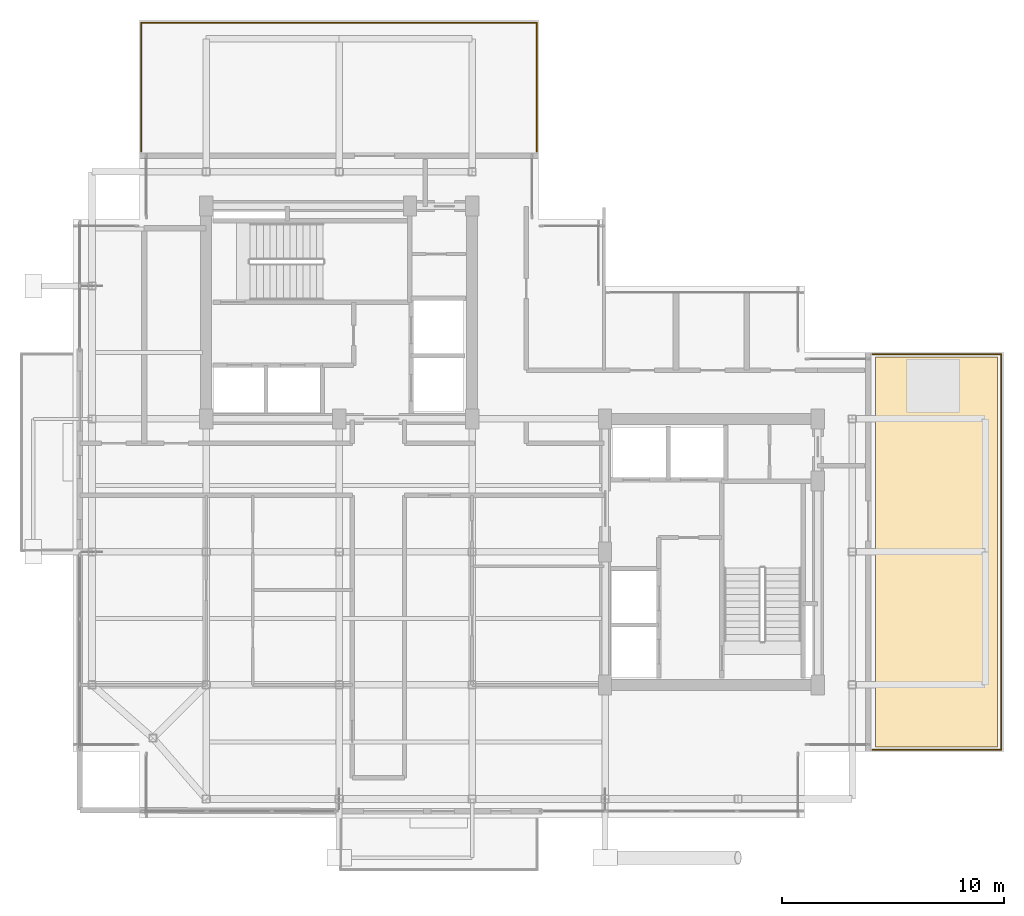
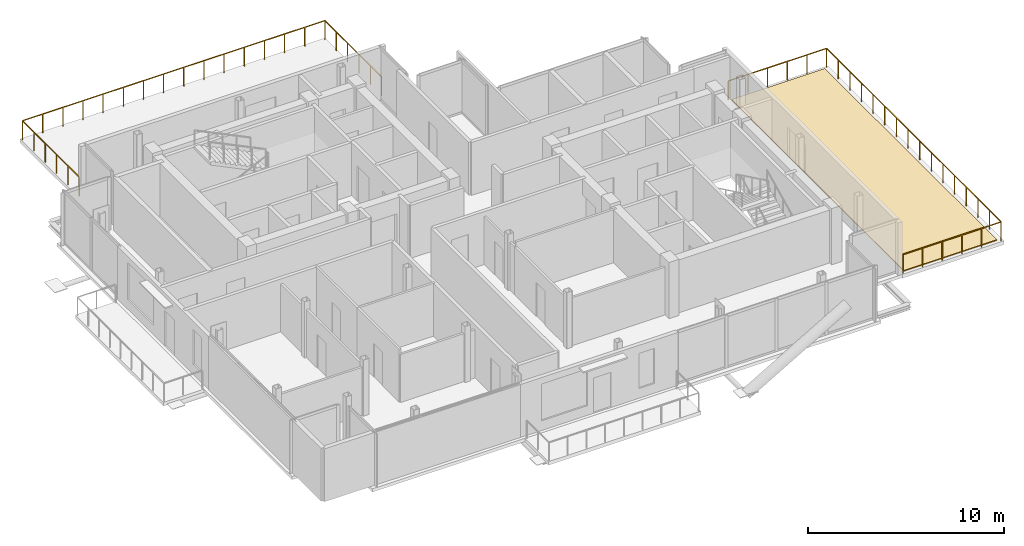
# One storey, part 19 of 19: 2 railings, 1 covering.
"""IFC4 building model written with IfcOpenShell, lengths in metres."""

from ifc_helpers import new_model, si_unit, direction, frame, origin, origin_2d, place, context, subcontext, project, spatial, polyline, rectangle, outline, extrude, material, layer, layer_set, type_object, element, save


model = new_model("IFC4")

# Units and contexts
model_context = context("Model", 3, precision=1e-05, world=origin(), true_north=direction((0.0, 1.0)))
body_context = subcontext(model_context, "Body", "Model", "MODEL_VIEW")
ifc_project = project(units=[si_unit("LENGTHUNIT", "METRE"), si_unit("AREAUNIT", "SQUARE_METRE"), si_unit("VOLUMEUNIT", "CUBIC_METRE"), si_unit("PLANEANGLEUNIT", "RADIAN"), si_unit("MASSUNIT", "GRAM", prefix="KILO"), si_unit("THERMODYNAMICTEMPERATUREUNIT", "KELVIN"), si_unit("POWERUNIT", "WATT")], contexts=[model_context])

# Site, building, storey
site_placement = place(None, origin())
site = spatial("IfcSite", under=ifc_project, at=site_placement, CompositionType="ELEMENT")
building_placement = place(site_placement, origin())
building = spatial("IfcBuilding", under=site, at=building_placement, Name="Svarakhadi Broadcast Tower", CompositionType="ELEMENT")
storey_placement = place(building_placement, frame((0.0, 0.0, 239.699951171875)))
storey = spatial("IfcBuildingStorey", under=building, at=storey_placement, Name="L59", CompositionType="ELEMENT", Elevation=239.699951171875)

# Railings
ifc_material_1 = material(Name="Anodised Bronze Aluminium AA 6063-T6", Category="aluminium")
railing_type = type_object("IfcRailingType", Name="Guard_Terrace_GR02", PredefinedType="BALUSTRADE", material=ifc_material_1)
railing_1_placement = place(storey_placement, frame((36.080078125, 3.080078125, 0.0)))
element("IfcRailing", 1, at=railing_1_placement, inside=storey, type_object=railing_type, Name="L59 East Setback Sky Garden Guard GR-02", PredefinedType="BALUSTRADE", context=body_context, shape_type="SweptSolid", body=[
    extrude(rectangle(XDim=0.048095703125, YDim=0.048095703125, at=origin_2d()), frame((0.0, 0.0, 1.17578125), z_axis=(1.0, 0.0, 0.0), x_axis=(0.0, 1.0, 0.0)), (0.0, 0.0, 1.0), 5.7998046875),
    extrude(rectangle(XDim=0.048095703125, YDim=0.048095703125, at=origin_2d()), frame((5.7998046875, 0.0, 1.17578125), z_axis=(0.0, 1.0, 0.0), x_axis=(-1.0, 0.0, 0.0)), (0.0, 0.0, 1.0), 17.83984375),
    extrude(rectangle(XDim=0.048095703125, YDim=0.048095703125, at=origin_2d()), frame((5.7998046875, 17.83984375, 1.17578125), z_axis=(-1.0, 0.0, 0.0), x_axis=(0.0, -1.0, 0.0)), (0.0, 0.0, 1.0), 5.7998046875),
    extrude(rectangle(XDim=0.0419921875, YDim=0.0419921875, at=origin_2d()), origin(), (0.0, 0.0, 1.0), 1.15185546875),
    extrude(rectangle(XDim=0.0419921875, YDim=0.0419921875, at=origin_2d()), frame((1.159912109375, 0.0, 0.0)), (0.0, 0.0, 1.0), 1.15185546875),
    extrude(rectangle(XDim=0.0419921875, YDim=0.0419921875, at=origin_2d()), frame((2.31982421875, 0.0, 0.0)), (0.0, 0.0, 1.0), 1.15185546875),
    extrude(rectangle(XDim=0.0419921875, YDim=0.0419921875, at=origin_2d()), frame((3.47998046875, 0.0, 0.0)), (0.0, 0.0, 1.0), 1.15185546875),
    extrude(rectangle(XDim=0.0419921875, YDim=0.0419921875, at=origin_2d()), frame((4.639892578125, 0.0, 0.0)), (0.0, 0.0, 1.0), 1.15185546875),
    extrude(rectangle(XDim=0.0419921875, YDim=0.0419921875, at=origin_2d()), frame((5.7998046875, 0.0, 0.0)), (0.0, 0.0, 1.0), 1.15185546875),
    extrude(rectangle(XDim=0.0419921875, YDim=0.0419921875, at=origin_2d()), frame((5.7998046875, 1.189208984375, 0.0)), (0.0, 0.0, 1.0), 1.15185546875),
    extrude(rectangle(XDim=0.0419921875, YDim=0.0419921875, at=origin_2d()), frame((5.7998046875, 2.378662109375, 0.0)), (0.0, 0.0, 1.0), 1.15185546875),
    extrude(rectangle(XDim=0.0419921875, YDim=0.0419921875, at=origin_2d()), frame((5.7998046875, 3.56787109375, 0.0)), (0.0, 0.0, 1.0), 1.15185546875),
    extrude(rectangle(XDim=0.0419921875, YDim=0.0419921875, at=origin_2d()), frame((5.7998046875, 4.75732421875, 0.0)), (0.0, 0.0, 1.0), 1.15185546875),
    extrude(rectangle(XDim=0.0419921875, YDim=0.0419921875, at=origin_2d()), frame((5.7998046875, 5.946533203125, 0.0)), (0.0, 0.0, 1.0), 1.15185546875),
    extrude(rectangle(XDim=0.0419921875, YDim=0.0419921875, at=origin_2d()), frame((5.7998046875, 7.135986328125, 0.0)), (0.0, 0.0, 1.0), 1.15185546875),
    extrude(rectangle(XDim=0.0419921875, YDim=0.0419921875, at=origin_2d()), frame((5.7998046875, 8.3251953125, 0.0)), (0.0, 0.0, 1.0), 1.15185546875),
    extrude(rectangle(XDim=0.0419921875, YDim=0.0419921875, at=origin_2d()), frame((5.7998046875, 9.5146484375, 0.0)), (0.0, 0.0, 1.0), 1.15185546875),
    extrude(rectangle(XDim=0.0419921875, YDim=0.0419921875, at=origin_2d()), frame((5.7998046875, 10.703857421875, 0.0)), (0.0, 0.0, 1.0), 1.15185546875),
    extrude(rectangle(XDim=0.0419921875, YDim=0.0419921875, at=origin_2d()), frame((5.7998046875, 11.893310546875, 0.0)), (0.0, 0.0, 1.0), 1.15185546875),
    extrude(rectangle(XDim=0.0419921875, YDim=0.0419921875, at=origin_2d()), frame((5.7998046875, 13.08251953125, 0.0)), (0.0, 0.0, 1.0), 1.15185546875),
    extrude(rectangle(XDim=0.0419921875, YDim=0.0419921875, at=origin_2d()), frame((5.7998046875, 14.27197265625, 0.0)), (0.0, 0.0, 1.0), 1.15185546875),
    extrude(rectangle(XDim=0.0419921875, YDim=0.0419921875, at=origin_2d()), frame((5.7998046875, 15.461181640625, 0.0)), (0.0, 0.0, 1.0), 1.15185546875),
    extrude(rectangle(XDim=0.0419921875, YDim=0.0419921875, at=origin_2d()), frame((5.7998046875, 16.650634765625, 0.0)), (0.0, 0.0, 1.0), 1.15185546875),
    extrude(rectangle(XDim=0.0419921875, YDim=0.0419921875, at=origin_2d()), frame((5.7998046875, 17.83984375, 0.0)), (0.0, 0.0, 1.0), 1.15185546875),
    extrude(rectangle(XDim=0.0419921875, YDim=0.0419921875, at=origin_2d()), frame((4.639892578125, 17.83984375, 0.0)), (0.0, 0.0, 1.0), 1.15185546875),
    extrude(rectangle(XDim=0.0419921875, YDim=0.0419921875, at=origin_2d()), frame((3.47998046875, 17.83984375, 0.0)), (0.0, 0.0, 1.0), 1.15185546875),
    extrude(rectangle(XDim=0.0419921875, YDim=0.0419921875, at=origin_2d()), frame((2.31982421875, 17.83984375, 0.0)), (0.0, 0.0, 1.0), 1.15185546875),
    extrude(rectangle(XDim=0.0419921875, YDim=0.0419921875, at=origin_2d()), frame((1.159912109375, 17.83984375, 0.0)), (0.0, 0.0, 1.0), 1.15185546875),
    extrude(rectangle(XDim=0.0419921875, YDim=0.0419921875, at=origin_2d()), frame((0.0, 17.83984375, 0.0)), (0.0, 0.0, 1.0), 1.15185546875),
])
railing_2_placement = place(storey_placement, frame((3.080078125, 30.080078125, 0.0)))
element("IfcRailing", 2, at=railing_2_placement, inside=storey, type_object=railing_type, Name="L59 North Setback Sky Garden Guard GR-02", PredefinedType="BALUSTRADE", context=body_context, shape_type="SweptSolid", body=[
    extrude(rectangle(XDim=0.048095703125, YDim=0.048095703125, at=origin_2d()), frame((0.0, 0.0, 1.17578125), z_axis=(0.0, 1.0, 0.0), x_axis=(-1.0, 0.0, 0.0)), (0.0, 0.0, 1.0), 5.7998046875),
    extrude(rectangle(XDim=0.048095703125, YDim=0.048095703125, at=origin_2d()), frame((0.0, 5.7998046875, 1.17578125), z_axis=(1.0, 0.0, 0.0), x_axis=(0.0, 1.0, 0.0)), (0.0, 0.0, 1.0), 17.83984375),
    extrude(rectangle(XDim=0.048095703125, YDim=0.048095703125, at=origin_2d()), frame((17.83984375, 5.7998046875, 1.17578125), z_axis=(0.0, -1.0, 0.0), x_axis=(1.0, 0.0, 0.0)), (0.0, 0.0, 1.0), 5.7998046875),
    extrude(rectangle(XDim=0.0419921875, YDim=0.0419921875, at=origin_2d()), origin(), (0.0, 0.0, 1.0), 1.15185546875),
    extrude(rectangle(XDim=0.0419921875, YDim=0.0419921875, at=origin_2d()), frame((0.0, 1.159912109375, 0.0)), (0.0, 0.0, 1.0), 1.15185546875),
    extrude(rectangle(XDim=0.0419921875, YDim=0.0419921875, at=origin_2d()), frame((0.0, 2.31982421875, 0.0)), (0.0, 0.0, 1.0), 1.15185546875),
    extrude(rectangle(XDim=0.0419921875, YDim=0.0419921875, at=origin_2d()), frame((0.0, 3.47998046875, 0.0)), (0.0, 0.0, 1.0), 1.15185546875),
    extrude(rectangle(XDim=0.0419921875, YDim=0.0419921875, at=origin_2d()), frame((0.0, 4.639892578125, 0.0)), (0.0, 0.0, 1.0), 1.15185546875),
    extrude(rectangle(XDim=0.0419921875, YDim=0.0419921875, at=origin_2d()), frame((0.0, 5.7998046875, 0.0)), (0.0, 0.0, 1.0), 1.15185546875),
    extrude(rectangle(XDim=0.0419921875, YDim=0.0419921875, at=origin_2d()), frame((1.189208984375, 5.7998046875, 0.0)), (0.0, 0.0, 1.0), 1.15185546875),
    extrude(rectangle(XDim=0.0419921875, YDim=0.0419921875, at=origin_2d()), frame((2.378662109375, 5.7998046875, 0.0)), (0.0, 0.0, 1.0), 1.15185546875),
    extrude(rectangle(XDim=0.0419921875, YDim=0.0419921875, at=origin_2d()), frame((3.56787109375, 5.7998046875, 0.0)), (0.0, 0.0, 1.0), 1.15185546875),
    extrude(rectangle(XDim=0.0419921875, YDim=0.0419921875, at=origin_2d()), frame((4.75732421875, 5.7998046875, 0.0)), (0.0, 0.0, 1.0), 1.15185546875),
    extrude(rectangle(XDim=0.0419921875, YDim=0.0419921875, at=origin_2d()), frame((5.946533203125, 5.7998046875, 0.0)), (0.0, 0.0, 1.0), 1.15185546875),
    extrude(rectangle(XDim=0.0419921875, YDim=0.0419921875, at=origin_2d()), frame((7.135986328125, 5.7998046875, 0.0)), (0.0, 0.0, 1.0), 1.15185546875),
    extrude(rectangle(XDim=0.0419921875, YDim=0.0419921875, at=origin_2d()), frame((8.3251953125, 5.7998046875, 0.0)), (0.0, 0.0, 1.0), 1.15185546875),
    extrude(rectangle(XDim=0.0419921875, YDim=0.0419921875, at=origin_2d()), frame((9.5146484375, 5.7998046875, 0.0)), (0.0, 0.0, 1.0), 1.15185546875),
    extrude(rectangle(XDim=0.0419921875, YDim=0.0419921875, at=origin_2d()), frame((10.703857421875, 5.7998046875, 0.0)), (0.0, 0.0, 1.0), 1.15185546875),
    extrude(rectangle(XDim=0.0419921875, YDim=0.0419921875, at=origin_2d()), frame((11.893310546875, 5.7998046875, 0.0)), (0.0, 0.0, 1.0), 1.15185546875),
    extrude(rectangle(XDim=0.0419921875, YDim=0.0419921875, at=origin_2d()), frame((13.08251953125, 5.7998046875, 0.0)), (0.0, 0.0, 1.0), 1.15185546875),
    extrude(rectangle(XDim=0.0419921875, YDim=0.0419921875, at=origin_2d()), frame((14.27197265625, 5.7998046875, 0.0)), (0.0, 0.0, 1.0), 1.15185546875),
    extrude(rectangle(XDim=0.0419921875, YDim=0.0419921875, at=origin_2d()), frame((15.461181640625, 5.7998046875, 0.0)), (0.0, 0.0, 1.0), 1.15185546875),
    extrude(rectangle(XDim=0.0419921875, YDim=0.0419921875, at=origin_2d()), frame((16.650634765625, 5.7998046875, 0.0)), (0.0, 0.0, 1.0), 1.15185546875),
    extrude(rectangle(XDim=0.0419921875, YDim=0.0419921875, at=origin_2d()), frame((17.83984375, 5.7998046875, 0.0)), (0.0, 0.0, 1.0), 1.15185546875),
    extrude(rectangle(XDim=0.0419921875, YDim=0.0419921875, at=origin_2d()), frame((17.83984375, 4.639892578125, 0.0)), (0.0, 0.0, 1.0), 1.15185546875),
    extrude(rectangle(XDim=0.0419921875, YDim=0.0419921875, at=origin_2d()), frame((17.83984375, 3.47998046875, 0.0)), (0.0, 0.0, 1.0), 1.15185546875),
    extrude(rectangle(XDim=0.0419921875, YDim=0.0419921875, at=origin_2d()), frame((17.83984375, 2.31982421875, 0.0)), (0.0, 0.0, 1.0), 1.15185546875),
    extrude(rectangle(XDim=0.0419921875, YDim=0.0419921875, at=origin_2d()), frame((17.83984375, 1.159912109375, 0.0)), (0.0, 0.0, 1.0), 1.15185546875),
    extrude(rectangle(XDim=0.0419921875, YDim=0.0419921875, at=origin_2d()), frame((17.83984375, 0.0, 0.0)), (0.0, 0.0, 1.0), 1.15185546875),
])

# Covering
ifc_material_2 = material(Name="SBS Modified Bitumen Waterproofing Membrane", Category="bitumen")
ifc_layer = layer(ifc_material_2, 0.054931640625)
ifc_layer_set = layer_set([ifc_layer], Name="SBS Modified Bitumen Waterproofing Membrane")
covering_type = type_object("IfcCoveringType", Name="Roofing_Membrane_RM02", PredefinedType="ROOFING", material=ifc_layer_set)
covering_placement = place(storey_placement, origin())
element("IfcCovering", 3, at=covering_placement, inside=storey, type_object=covering_type, Name="L59 Setback Terrace Waterproofing Membrane CV-07", PredefinedType="ROOFING", context=body_context, shape_type="SweptSolid", body=[
    extrude(outline(polyline([(36.199951171875, 3.199951171875), (41.699951171875, 3.199951171875), (41.699951171875, 20.800048828125), (36.199951171875, 20.800048828125), (36.199951171875, 3.199951171875)])), origin(), (0.0, 0.0, 1.0), 0.054931640625),
])

save(model, "model.ifc")
